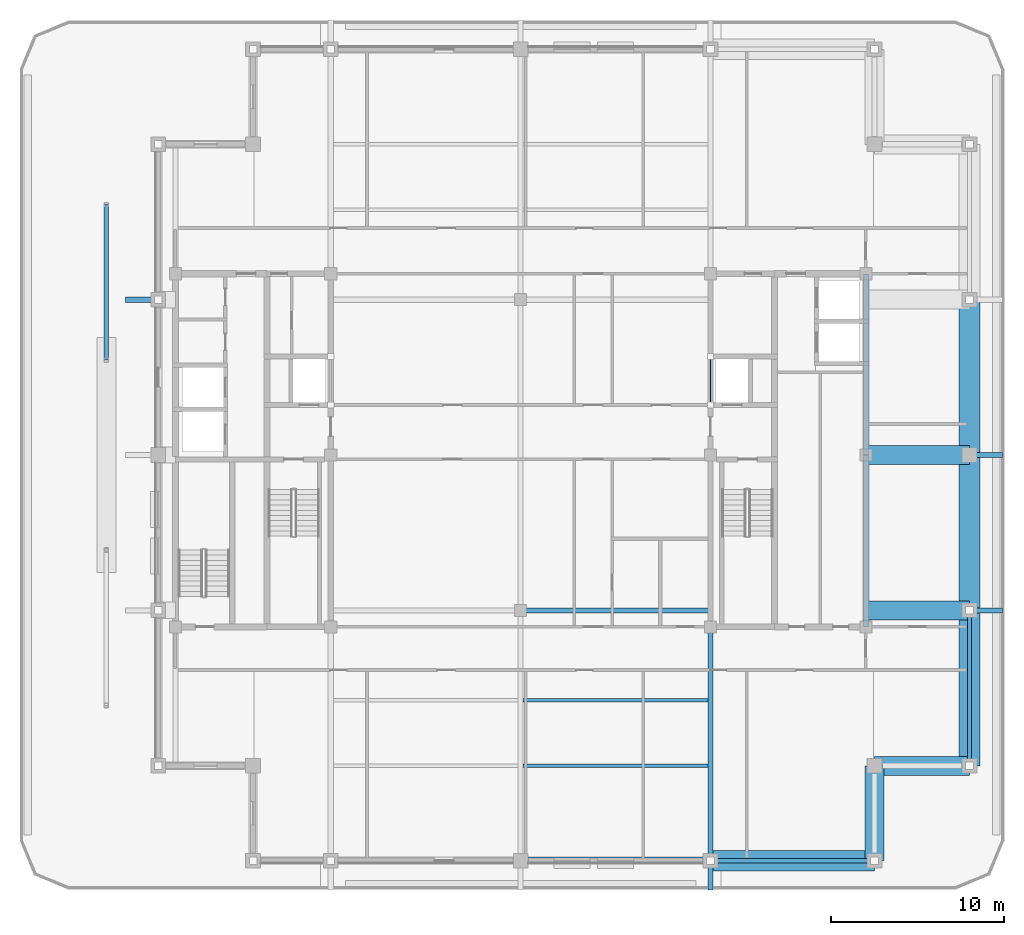
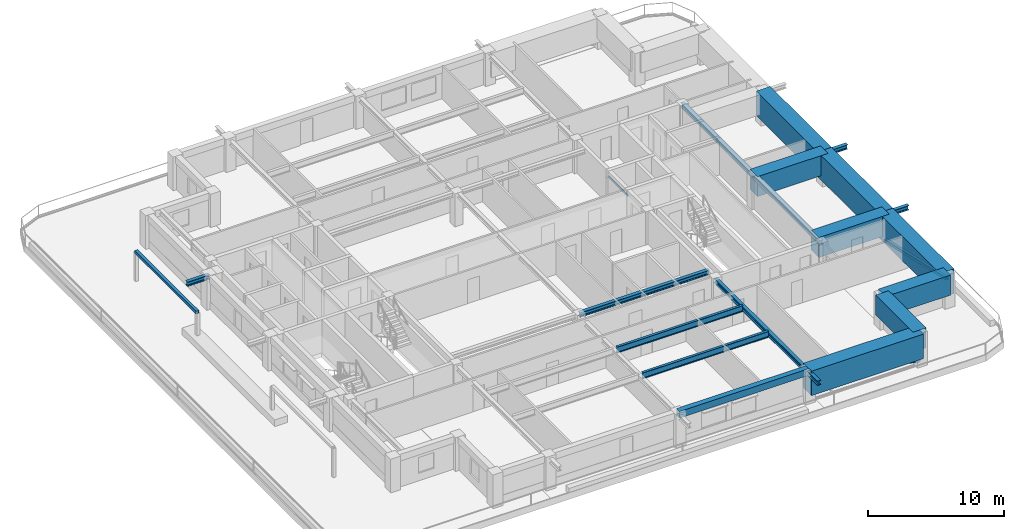
# One storey, part 3 of 14: 20 beams, 3 members.
"""IFC4 building model written with IfcOpenShell, lengths in metres."""

from ifc_helpers import new_model, si_unit, direction, frame, origin, origin_2d, place, context, subcontext, project, spatial, rectangle, hollow_rectangle, i_section, extrude, material, material_profile, profile_set, type_object, element, save


model = new_model("IFC4")

# Units and contexts
model_context = context("Model", 3, precision=1e-05, world=origin(), true_north=direction((0.0, 1.0)))
body_context = subcontext(model_context, "Body", "Model", "MODEL_VIEW")
ifc_project = project(units=[si_unit("LENGTHUNIT", "METRE"), si_unit("AREAUNIT", "SQUARE_METRE"), si_unit("VOLUMEUNIT", "CUBIC_METRE"), si_unit("PLANEANGLEUNIT", "RADIAN"), si_unit("MASSUNIT", "GRAM", prefix="KILO")], contexts=[model_context])

# Site, building, storey
site_placement = place(None, origin())
site = spatial("IfcSite", under=ifc_project, at=site_placement, CompositionType="ELEMENT")
building_placement = place(site_placement, origin())
building = spatial("IfcBuilding", under=site, at=building_placement, Name="Zulmaris Gate Convention Tower", CompositionType="ELEMENT")
storey_placement = place(building_placement, frame((0.0, 0.0, 226.820068359375)))
storey = spatial("IfcBuildingStorey", under=building, at=storey_placement, Name="L59", CompositionType="ELEMENT", Elevation=226.820068359375)

# Beams
ifc_material_1 = material(Name="Steel S355", Category="steel")
ifc_material_profile_1 = material_profile(ifc_material_1, i_section(OverallWidth=0.300048828125, OverallDepth=0.39990234375, WebThickness=0.013427734375, FlangeThickness=0.02392578125, FilletRadius=0.027099609375, at=origin_2d()), Name="HEB 400")
ifc_profile_set_1 = profile_set([ifc_material_profile_1], Name="Steel S355")
beam_type_1 = type_object("IfcBeamType", Name="BM-HEB400", PredefinedType="BEAM", material=ifc_profile_set_1)
beam_1_placement = place(storey_placement, frame((11.0, -25.199951171875, 2.60302734375), z_axis=(0.0, 1.0, 0.0), x_axis=(-1.0, 0.0, 0.0)))
element("IfcBeam", 1, at=beam_1_placement, inside=storey, type_object=beam_type_1, Name="L59 Beam TBRK-L59-S-+11", PredefinedType="BEAM", context=body_context, shape_type="SweptSolid", body=[
    extrude(i_section(OverallWidth=0.300048828125, OverallDepth=0.39990234375, WebThickness=0.013427734375, FlangeThickness=0.02392578125, FilletRadius=0.027099609375, at=origin_2d()), origin(), (0.0, 0.0, 1.0), 1.699951171875),
])
for number, where, z_axis, x_axis, name in (
    (2, (26.0, -9.0, 2.639892578125), (1.0, 0.0, 0.0), (0.0, 1.0, 0.0), "L59 Beam TBRK-L59-E--9"),
    (3, (26.0, 0.0, 2.639892578125), (1.0, 0.0, 0.0), (0.0, 1.0, 0.0), "L59 Beam TBRK-L59-E-+0"),
    (4, (-22.89990234375, 9.0, 2.639892578125), (1.0, 0.0, 0.0), (0.0, 1.0, 0.0), "L59 Beam TBRK-L59-W-+9"),
):
    element("IfcBeam", number, at=place(storey_placement, frame(where, z_axis=z_axis, x_axis=x_axis)), inside=storey, type_object=beam_type_1, Name=name, PredefinedType="BEAM", context=body_context, shape_type="SweptSolid", body=[
        extrude(i_section(OverallWidth=0.300048828125, OverallDepth=0.39990234375, WebThickness=0.013427734375, FlangeThickness=0.02392578125, FilletRadius=0.027099609375, at=origin_2d()), origin(), (0.0, 0.0, 1.0), 1.89990234375),
    ])
beam_2_placement = place(storey_placement, frame((0.0, -9.0, 2.77783203125), z_axis=(1.0, 0.0, 0.0), x_axis=(0.0, 1.0, 0.0)))
element("IfcBeam", 5, at=beam_2_placement, inside=storey, type_object=beam_type_1, Name="L59 Beam BM-L59-G02", PredefinedType="BEAM", context=body_context, shape_type="SweptSolid", body=[
    extrude(i_section(OverallWidth=0.300048828125, OverallDepth=0.39990234375, WebThickness=0.013427734375, FlangeThickness=0.02392578125, FilletRadius=0.027099609375, at=origin_2d()), origin(), (0.0, 0.0, 1.0), 11.0),
])
beam_3_placement = place(storey_placement, frame((11.0, -23.5, 2.60302734375), z_axis=(0.0, 1.0, 0.0), x_axis=(-1.0, 0.0, 0.0)))
element("IfcBeam", 6, at=beam_3_placement, inside=storey, type_object=beam_type_1, Name="L59 Beam BM-L59-G10", PredefinedType="BEAM", context=body_context, shape_type="SweptSolid", body=[
    extrude(i_section(OverallWidth=0.300048828125, OverallDepth=0.39990234375, WebThickness=0.013427734375, FlangeThickness=0.02392578125, FilletRadius=0.027099609375, at=origin_2d()), origin(), (0.0, 0.0, 1.0), 13.550048828125),
])
beam_4_placement = place(storey_placement, frame((20.0, -9.949951171875, 2.77783203125), z_axis=(0.0, 1.0, 0.0), x_axis=(-1.0, 0.0, 0.0)))
element("IfcBeam", 7, at=beam_4_placement, inside=storey, type_object=beam_type_1, Name="L59 Beam BM-L59-G28", PredefinedType="BEAM", context=body_context, shape_type="SweptSolid", body=[
    extrude(i_section(OverallWidth=0.300048828125, OverallDepth=0.39990234375, WebThickness=0.013427734375, FlangeThickness=0.02392578125, FilletRadius=0.027099609375, at=origin_2d()), origin(), (0.0, 0.0, 1.0), 9.949951171875),
])
beam_5_placement = place(storey_placement, frame((20.0, 0.0, 2.77783203125), z_axis=(0.0, 1.0, 0.0), x_axis=(-1.0, 0.0, 0.0)))
element("IfcBeam", 8, at=beam_5_placement, inside=storey, type_object=beam_type_1, Name="L59 Beam BM-L59-G29", PredefinedType="BEAM", context=body_context, shape_type="SweptSolid", body=[
    extrude(i_section(OverallWidth=0.300048828125, OverallDepth=0.39990234375, WebThickness=0.013427734375, FlangeThickness=0.02392578125, FilletRadius=0.027099609375, at=origin_2d()), origin(), (0.0, 0.0, 1.0), 10.5),
])
ifc_material_2 = material(Name="Precast concrete C50/60", Category="concrete")
ifc_material_profile_2 = material_profile(ifc_material_2, rectangle(XDim=0.449951171875, YDim=0.60009765625, at=origin_2d()), Name="RC SPANDREL 450x600")
ifc_profile_set_2 = profile_set([ifc_material_profile_2], Name="Precast concrete C50/60")
beam_type_2 = type_object("IfcBeamType", Name="BM-SP450x600", PredefinedType="SPANDREL", material=ifc_profile_set_2)
beam_6_placement = place(storey_placement, frame((0.0, -23.5, 2.679931640625), z_axis=(1.0, 0.0, 0.0), x_axis=(0.0, 1.0, 0.0)))
element("IfcBeam", 9, at=beam_6_placement, inside=storey, type_object=beam_type_2, Name="L59 Spandrel SP-L59-03", PredefinedType="SPANDREL", context=body_context, shape_type="SweptSolid", body=[
    extrude(rectangle(XDim=0.449951171875, YDim=0.60009765625, at=origin_2d()), origin(), (0.0, 0.0, 1.0), 11.0),
])
ifc_material_3 = material(Name="Concrete C80/95", Category="concrete")
ifc_material_profile_3 = material_profile(ifc_material_3, rectangle(XDim=1.10009765625, YDim=1.800048828125, at=origin_2d()), Name="RC TRANSFER 1100x1800")
ifc_profile_set_3 = profile_set([ifc_material_profile_3], Name="Concrete C80/95")
beam_type_3 = type_object("IfcBeamType", Name="BM-XFER1800", PredefinedType="BEAM", material=ifc_profile_set_3)
for number, where, z_axis, x_axis, name in (
    (10, (20.5, -23.5, 2.079833984375), (0.0, 1.0, 0.0), (-1.0, 0.0, 0.0), "L59 Beam SP-L59-05"),
    (11, (20.5, -18.0, 2.079833984375), (1.0, 0.0, 0.0), (0.0, 1.0, 0.0), "L59 Beam SP-L59-06"),
):
    element("IfcBeam", number, at=place(storey_placement, frame(where, z_axis=z_axis, x_axis=x_axis)), inside=storey, type_object=beam_type_3, Name=name, PredefinedType="BEAM", context=body_context, shape_type="SweptSolid", body=[
        extrude(rectangle(XDim=1.10009765625, YDim=1.800048828125, at=origin_2d()), origin(), (0.0, 0.0, 1.0), 5.5),
    ])
for number, where, z_axis, x_axis, name in (
    (12, (20.0, -9.0, 2.079833984375), (1.0, 0.0, 0.0), (0.0, 1.0, 0.0), "L59 Beam BM-L59-G19"),
    (13, (20.0, 0.0, 2.079833984375), (1.0, 0.0, 0.0), (0.0, 1.0, 0.0), "L59 Beam BM-L59-G20"),
):
    element("IfcBeam", number, at=place(storey_placement, frame(where, z_axis=z_axis, x_axis=x_axis)), inside=storey, type_object=beam_type_3, Name=name, PredefinedType="BEAM", context=body_context, shape_type="SweptSolid", body=[
        extrude(rectangle(XDim=1.10009765625, YDim=1.800048828125, at=origin_2d()), origin(), (0.0, 0.0, 1.0), 6.0),
    ])
ifc_material_profile_4 = material_profile(ifc_material_3, rectangle(XDim=1.199951171875, YDim=2.199951171875, at=origin_2d()), Name="RC TRANSFER 1200x2200")
ifc_profile_set_4 = profile_set([ifc_material_profile_4], Name="Concrete C80/95")
beam_type_4 = type_object("IfcBeamType", Name="BM-XFER2200", PredefinedType="BEAM", material=ifc_profile_set_4)
beam_7_placement = place(storey_placement, frame((11.0, -23.5, 1.8798828125), z_axis=(1.0, 0.0, 0.0), x_axis=(0.0, 1.0, 0.0)))
element("IfcBeam", 14, at=beam_7_placement, inside=storey, type_object=beam_type_4, Name="L59 Beam SP-L59-04", PredefinedType="BEAM", context=body_context, shape_type="SweptSolid", body=[
    extrude(rectangle(XDim=1.199951171875, YDim=2.199951171875, at=origin_2d()), origin(), (0.0, 0.0, 1.0), 9.5),
])
for number, where, z_axis, x_axis, name in (
    (15, (26.0, -18.0, 1.8798828125), (0.0, 1.0, 0.0), (-1.0, 0.0, 0.0), "L59 Beam SP-L59-07"),
    (16, (26.0, -9.0, 1.8798828125), (0.0, 1.0, 0.0), (-1.0, 0.0, 0.0), "L59 Beam SP-L59-08"),
    (17, (26.0, 0.0, 1.8798828125), (0.0, 1.0, 0.0), (-1.0, 0.0, 0.0), "L59 Beam SP-L59-09"),
):
    element("IfcBeam", number, at=place(storey_placement, frame(where, z_axis=z_axis, x_axis=x_axis)), inside=storey, type_object=beam_type_4, Name=name, PredefinedType="BEAM", context=body_context, shape_type="SweptSolid", body=[
        extrude(rectangle(XDim=1.199951171875, YDim=2.199951171875, at=origin_2d()), origin(), (0.0, 0.0, 1.0), 9.0),
    ])

# Members
ifc_material_profile_5 = material_profile(ifc_material_1, hollow_rectangle(XDim=0.25, YDim=0.25, WallThickness=0.012451171875, at=origin_2d()), Name="SHS 250x250x12.5")
ifc_profile_set_5 = profile_set([ifc_material_profile_5], Name="Steel S355")
member_type_1 = type_object("IfcMemberType", Name="BR-SHS250", PredefinedType="BRACE", material=ifc_profile_set_5)
member_1_placement = place(storey_placement, frame((26.0, -9.0, 0.300048828125), z_axis=(0.0, -0.974795611755, 0.223099787771), x_axis=(1.0, 0.0, 0.0)))
element("IfcMember", 18, at=member_1_placement, inside=storey, type_object=member_type_1, Name="L59 Perimeter Tube Diagonal SE-E", PredefinedType="BRACE", context=body_context, shape_type="SweptSolid", body=[
    extrude(hollow_rectangle(XDim=0.25, YDim=0.25, WallThickness=0.012451171875, at=origin_2d()), origin(), (0.0, 0.0, 1.0), 9.232666015625),
])
member_2_placement = place(storey_placement, frame((20.5, -23.5, 0.300048828125), z_axis=(-0.977291596632, 0.0, 0.211898879543), x_axis=(0.0, -1.0, 0.0)))
element("IfcMember", 19, at=member_2_placement, inside=storey, type_object=member_type_1, Name="L59 Perimeter Tube Diagonal SE-S", PredefinedType="BRACE", context=body_context, shape_type="SweptSolid", body=[
    extrude(hollow_rectangle(XDim=0.25, YDim=0.25, WallThickness=0.012451171875, at=origin_2d()), origin(), (0.0, 0.0, 1.0), 9.720703125),
])

# Beams
ifc_material_profile_6 = material_profile(ifc_material_1, i_section(OverallWidth=0.2099609375, OverallDepth=0.550048828125, WebThickness=0.010986328125, FlangeThickness=0.01708984375, FilletRadius=0.02392578125, at=origin_2d()), Name="IPE 550")
ifc_profile_set_6 = profile_set([ifc_material_profile_6], Name="Steel S355")
beam_type_5 = type_object("IfcBeamType", Name="JT-IPE550", PredefinedType="JOIST", material=ifc_profile_set_6)
for number, where, z_axis, x_axis, name in (
    (20, (0.14990234375, -18.0, 2.702880859375), (1.0, 0.0, 0.0), (0.0, 1.0, 0.0), "L59 Joist JT-L59-CE--18.0"),
    (21, (0.14990234375, -14.199951171875, 2.702880859375), (1.0, 0.0, 0.0), (0.0, 1.0, 0.0), "L59 Joist JT-L59-CE--14.2"),
):
    element("IfcBeam", number, at=place(storey_placement, frame(where, z_axis=z_axis, x_axis=x_axis)), inside=storey, type_object=beam_type_5, Name=name, PredefinedType="JOIST", context=body_context, shape_type="SweptSolid", body=[
        extrude(i_section(OverallWidth=0.2099609375, OverallDepth=0.550048828125, WebThickness=0.010986328125, FlangeThickness=0.01708984375, FilletRadius=0.02392578125, at=origin_2d()), origin(), (0.0, 0.0, 1.0), 10.7001953125),
    ])
ifc_material_profile_7 = material_profile(ifc_material_1, hollow_rectangle(XDim=0.080078125, YDim=0.179931640625, WallThickness=0.00634765625, at=origin_2d()), Name="RHS 180x80x6.3")
ifc_profile_set_7 = profile_set([ifc_material_profile_7], Name="Steel S355")
beam_type_6 = type_object("IfcBeamType", Name="LN-RHS180", PredefinedType="LINTEL", material=ifc_profile_set_7)
beam_8_placement = place(storey_placement, frame((11.0, 2.89990234375, 2.35009765625), z_axis=(0.0, 1.0, 0.0), x_axis=(-1.0, 0.0, 0.0)))
element("IfcBeam", 22, at=beam_8_placement, inside=storey, type_object=beam_type_6, Name="L59 Core Opening Steel Lintel 2", PredefinedType="LINTEL", context=body_context, shape_type="SweptSolid", body=[
    extrude(hollow_rectangle(XDim=0.080078125, YDim=0.179931640625, WallThickness=0.00634765625, at=origin_2d()), origin(), (0.0, 0.0, 1.0), 2.800048828125),
])

# Member
ifc_material_profile_8 = material_profile(ifc_material_1, hollow_rectangle(XDim=0.25, YDim=0.25, WallThickness=0.012451171875, at=origin_2d()), Name="SHS 250x250x12.5")
ifc_profile_set_8 = profile_set([ifc_material_profile_8], Name="Steel S355")
member_type_2 = type_object("IfcMemberType", Name="ST-SHS250", PredefinedType="STRUT", material=ifc_profile_set_8)
member_3_placement = place(storey_placement, frame((-24.0, 5.5, 2.56005859375), z_axis=(0.0, 1.0, 0.0), x_axis=(-1.0, 0.0, 0.0)))
element("IfcMember", 23, at=member_3_placement, inside=storey, type_object=member_type_2, Name="L59 Exposed Terrace Planted Pergola Beam 2", PredefinedType="STRUT", context=body_context, shape_type="SweptSolid", body=[
    extrude(hollow_rectangle(XDim=0.25, YDim=0.25, WallThickness=0.012451171875, at=origin_2d()), origin(), (0.0, 0.0, 1.0), 9.0),
])

save(model, "model.ifc")
